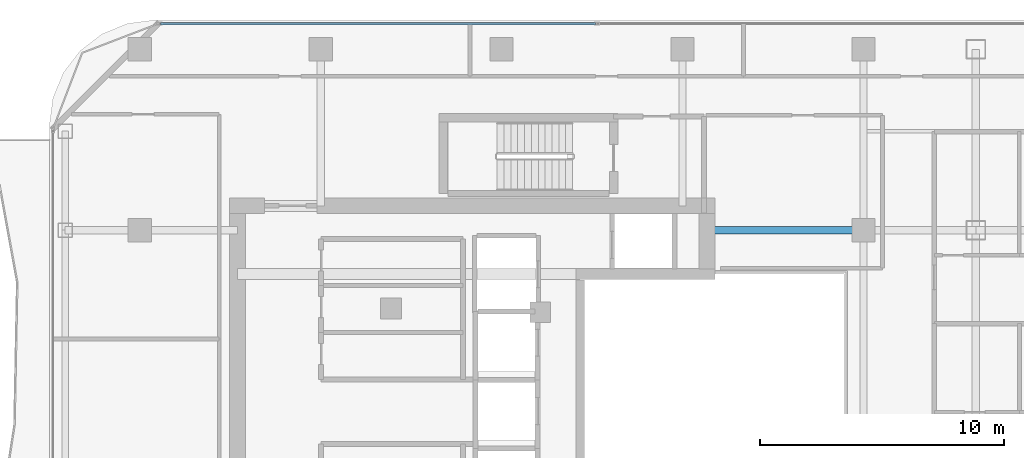
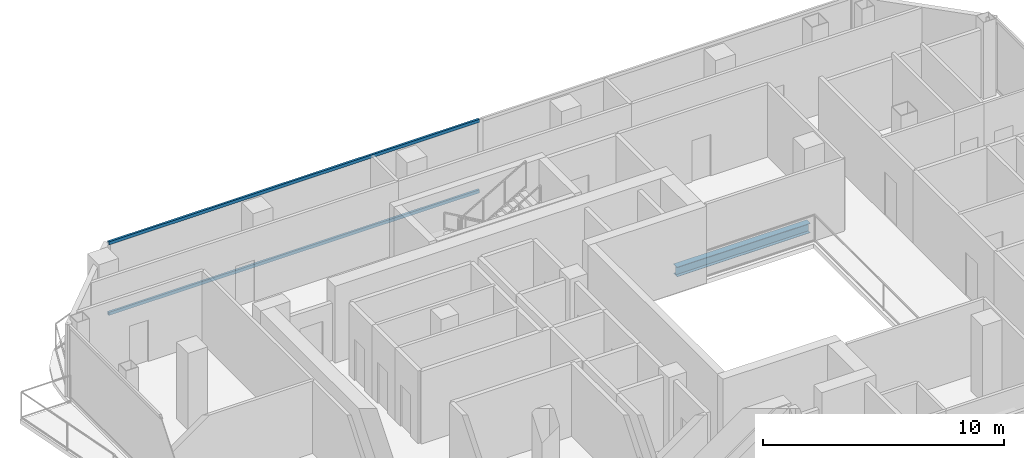
# One storey, part 14 of 27: 2 members, 1 beam, 1 element without a shape of its own.
"""IFC4 building model written with IfcOpenShell, lengths in metres."""

from ifc_helpers import new_model, si_unit, direction, frame, origin, origin_2d, place, context, subcontext, project, spatial, hollow_rectangle, i_section, extrude, material, layer, layer_set, material_profile, profile_set, type_object, element, aggregate, save


model = new_model("IFC4")

# Units and contexts
model_context = context("Model", 3, precision=1e-05, world=origin(), true_north=direction((0.0, 1.0)))
body_context = subcontext(model_context, "Body", "Model", "MODEL_VIEW")
ifc_project = project(units=[si_unit("LENGTHUNIT", "METRE"), si_unit("AREAUNIT", "SQUARE_METRE"), si_unit("VOLUMEUNIT", "CUBIC_METRE"), si_unit("PLANEANGLEUNIT", "RADIAN"), si_unit("MASSUNIT", "GRAM", prefix="KILO")], contexts=[model_context])

# Site, building, storey
site_placement = place(None, origin())
site = spatial("IfcSite", under=ifc_project, at=site_placement, CompositionType="ELEMENT")
building_placement = place(site_placement, origin())
building = spatial("IfcBuilding", under=site, at=building_placement, Name="Khorvyn Point Tower", CompositionType="ELEMENT")
storey_placement = place(building_placement, frame((0.0, 0.0, 246.89990234375)))
storey = spatial("IfcBuildingStorey", under=building, at=storey_placement, Name="L60", CompositionType="ELEMENT", Elevation=246.89990234375)

# Curtain wall, members
ifc_material_1 = material(Name="Anodised aluminium 6063-T6 and laminated Low-E glass", Category="aluminium")
ifc_layer = layer(ifc_material_1, 0.18994140625)
ifc_layer_set = layer_set([ifc_layer], Name="Stick-Built Acoustic Curtain Wall CW-SYS-03")
curtain_wall_type = type_object("IfcCurtainWallType", Name="Stick-Built Acoustic Curtain Wall CW-SYS-03", PredefinedType="NOTDEFINED", material=ifc_layer_set)
curtain_wall_placement = place(storey_placement, origin())
curtain_wall = element("IfcCurtainWall", 1, at=curtain_wall_placement, inside=storey, type_object=curtain_wall_type, Name="Curtain Wall", PredefinedType="NOTDEFINED")
ifc_material_2 = material(Name="Anodised aluminium 6063-T6", Category="aluminium")
ifc_material_profile_1 = material_profile(ifc_material_2, hollow_rectangle(XDim=0.10009765625, YDim=0.159912109375, WallThickness=0.00439453125, at=origin_2d()))
ifc_profile_set_1 = profile_set([ifc_material_profile_1], Name="Anodised aluminium 6063-T6 ALU-TRN-100x160")
member_type = type_object("IfcMemberType", Name="Anodised Aluminium 6063-T6 Transom ALU-TRN-100x160", PredefinedType="USERDEFINED", material=ifc_profile_set_1)
member_1_placement = place(storey_placement, frame((-13.949951171875, 15.85009765625, 0.050048828125), z_axis=(1.0, 0.0, 0.0), x_axis=(0.0, 1.0, 0.0)))
member_1 = element("IfcMember", 2, at=member_1_placement, type_object=member_type, Name="Transom", ObjectType="TRANSOM", PredefinedType="USERDEFINED", context=body_context, shape_type="SweptSolid", body=[
    extrude(hollow_rectangle(XDim=0.10009765625, YDim=0.159912109375, WallThickness=0.00439453125, at=origin_2d()), origin(), (0.0, 0.0, 1.0), 17.800048828125),
])
member_2_placement = place(storey_placement, frame((-13.949951171875, 15.85009765625, 3.630126953125), z_axis=(1.0, 0.0, 0.0), x_axis=(0.0, 1.0, 0.0)))
member_2 = element("IfcMember", 3, at=member_2_placement, type_object=member_type, Name="Transom", ObjectType="TRANSOM", PredefinedType="USERDEFINED", context=body_context, shape_type="SweptSolid", body=[
    extrude(hollow_rectangle(XDim=0.10009765625, YDim=0.159912109375, WallThickness=0.00439453125, at=origin_2d()), origin(), (0.0, 0.0, 1.0), 17.800048828125),
])
aggregate(curtain_wall, [member_1, member_2])

# Beam
ifc_material_3 = material(Name="Steel S355", Category="steel")
ifc_material_profile_2 = material_profile(ifc_material_3, i_section(OverallWidth=0.300048828125, OverallDepth=0.488037109375, WebThickness=0.010986328125, FlangeThickness=0.01806640625, at=origin_2d()))
ifc_profile_set_2 = profile_set([ifc_material_profile_2], Name="Steel S355 H488x300x11x18")
beam_type = type_object("IfcBeamType", Name="Steel S355 Spandrel H488x300x11x18", PredefinedType="SPANDREL", material=ifc_profile_set_2)
beam_placement = place(storey_placement, frame((8.39990234375, 7.39990234375, -0.4638671875), z_axis=(1.0, 0.0, 0.0), x_axis=(0.0, 1.0, 0.0)))
element("IfcBeam", 4, at=beam_placement, inside=storey, type_object=beam_type, Name="Beam", PredefinedType="SPANDREL", context=body_context, shape_type="SweptSolid", body=[
    extrude(i_section(OverallWidth=0.300048828125, OverallDepth=0.488037109375, WebThickness=0.010986328125, FlangeThickness=0.01806640625, at=origin_2d()), origin(), (0.0, 0.0, 1.0), 6.400146484375),
])

save(model, "model.ifc")
